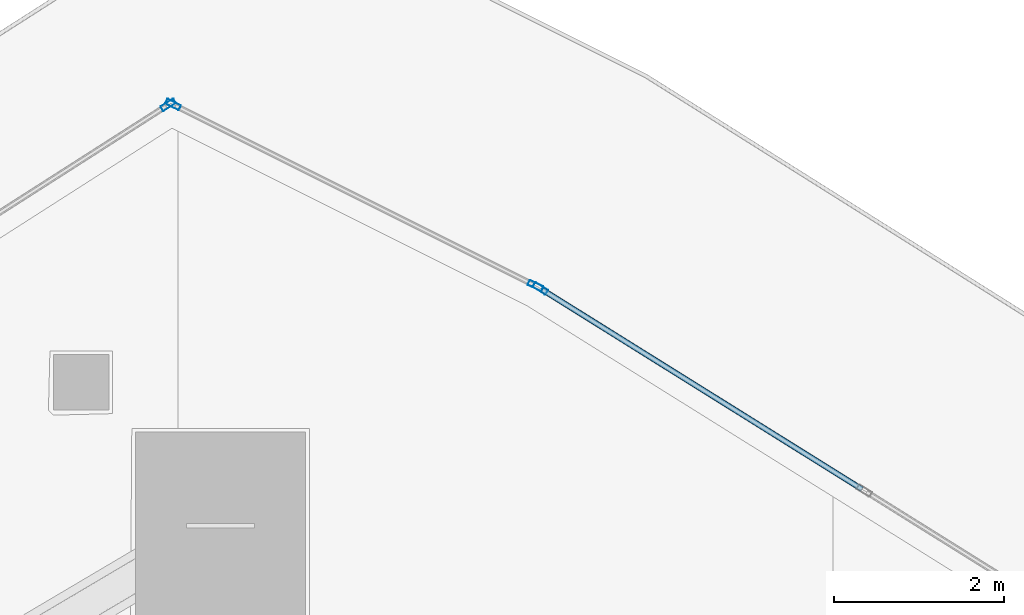
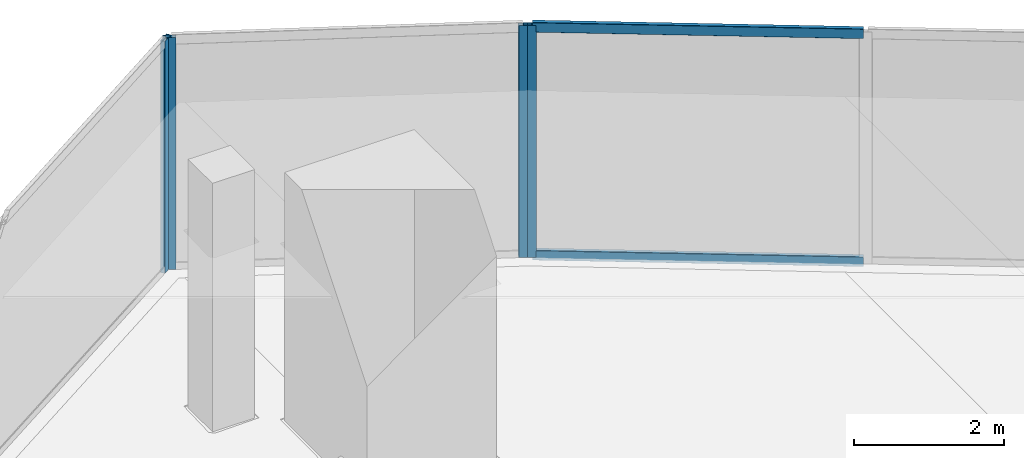
# One storey, part 23 of 40: 6 members, 3 elements without a shape of their own.
"""IFC4 building model written with IfcOpenShell, lengths in metres."""

from ifc_helpers import new_model, si_unit, direction, frame, origin, origin_2d, place, context, subcontext, project, spatial, hollow_rectangle, extrude, material, layer, layer_set, material_profile, profile_set, type_object, element, aggregate, save


model = new_model("IFC4")

# Units and contexts
model_context = context("Model", 3, precision=1e-05, world=origin(), true_north=direction((0.0, 1.0)))
body_context = subcontext(model_context, "Body", "Model", "MODEL_VIEW")
ifc_project = project(units=[si_unit("LENGTHUNIT", "METRE"), si_unit("AREAUNIT", "SQUARE_METRE"), si_unit("VOLUMEUNIT", "CUBIC_METRE"), si_unit("PLANEANGLEUNIT", "RADIAN"), si_unit("MASSUNIT", "GRAM", prefix="KILO")], contexts=[model_context])

# Site, building, storey
site_placement = place(None, origin())
site = spatial("IfcSite", under=ifc_project, at=site_placement, CompositionType="ELEMENT")
building_placement = place(site_placement, origin())
building = spatial("IfcBuilding", under=site, at=building_placement, Name="Qorvath Tower", CompositionType="ELEMENT")
storey_placement = place(building_placement, frame((0.0, 0.0, 138.14990234375)))
storey = spatial("IfcBuildingStorey", under=building, at=storey_placement, Name="L31", CompositionType="ELEMENT", Elevation=138.14990234375)

# Curtain wall, member
ifc_material_1 = material(Name="Anodised aluminium and triple low-E glass", Category="aluminium")
ifc_layer = layer(ifc_material_1, 0.179931640625)
ifc_layer_set = layer_set([ifc_layer], Name="CW-SYS-3")
curtain_wall_type = type_object("IfcCurtainWallType", Name="CW-SYS-3", PredefinedType="NOTDEFINED", material=ifc_layer_set)
curtain_wall_1_placement = place(storey_placement, origin())
curtain_wall_1 = element("IfcCurtainWall", 1, at=curtain_wall_1_placement, inside=storey, type_object=curtain_wall_type, Name="Curtain Wall CW-3 CW-T-L31-14.1", PredefinedType="NOTDEFINED")
ifc_material_2 = material(Name="Anodised aluminium 6063-T6", Category="aluminium")
ifc_material_profile_1 = material_profile(ifc_material_2, hollow_rectangle(XDim=0.06494140625, YDim=0.179931640625, WallThickness=0.00341796875, InnerFilletRadius=0.00341796875, OuterFilletRadius=0.007080078125, at=origin_2d()), Name="CWM 180x65")
ifc_profile_set_1 = profile_set([ifc_material_profile_1], Name="Anodised aluminium 6063-T6")
member_type_1 = type_object("IfcMemberType", Name="CWM-180", PredefinedType="MULLION", material=ifc_profile_set_1)
member_1_placement = place(storey_placement, frame((-11.587890625, 28.03271484375, 0.0), z_axis=(0.0, 0.0, 1.0), x_axis=(-0.529439947431, -0.848347418258, 0.0)))
member_1 = element("IfcMember", 2, at=member_1_placement, type_object=member_type_1, Name="CW-3 mullion 3", PredefinedType="MULLION", context=body_context, shape_type="SweptSolid", body=[
    extrude(hollow_rectangle(XDim=0.06494140625, YDim=0.179931640625, WallThickness=0.00341796875, InnerFilletRadius=0.00341796875, OuterFilletRadius=0.007080078125, at=origin_2d()), origin(), (0.0, 0.0, 1.0), 3.780029296875),
])

# Curtain wall, members
curtain_wall_2_placement = place(storey_placement, origin())
curtain_wall_2 = element("IfcCurtainWall", 3, at=curtain_wall_2_placement, inside=storey, type_object=curtain_wall_type, Name="Curtain Wall CW-3 CW-T-L31-15.1", PredefinedType="NOTDEFINED")
member_2_placement = place(storey_placement, frame((-11.64453125, 28.064453125, 0.0), z_axis=(0.0, 0.0, 1.0), x_axis=(-0.447213595499, -0.894427191001, 0.0)))
member_2 = element("IfcMember", 4, at=member_2_placement, type_object=member_type_1, Name="CW-3 mullion 1", PredefinedType="MULLION", context=body_context, shape_type="SweptSolid", body=[
    extrude(hollow_rectangle(XDim=0.06494140625, YDim=0.179931640625, WallThickness=0.00341796875, InnerFilletRadius=0.00341796875, OuterFilletRadius=0.007080078125, at=origin_2d()), origin(), (0.0, 0.0, 1.0), 3.780029296875),
])
member_3_placement = place(storey_placement, frame((-15.90185546875, 30.19287109375, 0.0), z_axis=(0.0, 0.0, 1.0), x_axis=(-0.447213595499, -0.894427191001, 0.0)))
member_3 = element("IfcMember", 5, at=member_3_placement, type_object=member_type_1, Name="CW-3 mullion 2", PredefinedType="MULLION", context=body_context, shape_type="SweptSolid", body=[
    extrude(hollow_rectangle(XDim=0.06494140625, YDim=0.179931640625, WallThickness=0.00341796875, InnerFilletRadius=0.00341796875, OuterFilletRadius=0.007080078125, at=origin_2d()), origin(), (0.0, 0.0, 1.0), 3.780029296875),
])
aggregate(curtain_wall_2, [member_2, member_3])

# Curtain wall, member
curtain_wall_3_placement = place(storey_placement, origin())
curtain_wall_3 = element("IfcCurtainWall", 6, at=curtain_wall_3_placement, inside=storey, type_object=curtain_wall_type, Name="Curtain Wall CW-3 CW-T-L31-16.1", PredefinedType="NOTDEFINED")
member_4_placement = place(storey_placement, frame((-15.958251953125, 30.18994140625, 0.0), z_axis=(0.0, 0.0, 1.0), x_axis=(0.538534399095, -0.842603525385, 0.0)))
member_4 = element("IfcMember", 7, at=member_4_placement, type_object=member_type_1, Name="CW-3 mullion 1", PredefinedType="MULLION", context=body_context, shape_type="SweptSolid", body=[
    extrude(hollow_rectangle(XDim=0.06494140625, YDim=0.179931640625, WallThickness=0.00341796875, InnerFilletRadius=0.00341796875, OuterFilletRadius=0.007080078125, at=origin_2d()), origin(), (0.0, 0.0, 1.0), 3.780029296875),
])
aggregate(curtain_wall_3, [member_4])

# Member
ifc_material_3 = material(Name="Anodised aluminium 6063-T6", Category="aluminium")
ifc_material_profile_2 = material_profile(ifc_material_3, hollow_rectangle(XDim=0.06494140625, YDim=0.159912109375, WallThickness=0.00341796875, InnerFilletRadius=0.00341796875, OuterFilletRadius=0.007080078125, at=origin_2d()), Name="CWT 160x65")
ifc_profile_set_2 = profile_set([ifc_material_profile_2], Name="Anodised aluminium 6063-T6")
member_type_2 = type_object("IfcMemberType", Name="CWT-160", PredefinedType="USERDEFINED", material=ifc_profile_set_2)
member_5_placement = place(storey_placement, frame((-7.80908203125, 25.67431640625, 0.032470703125), z_axis=(-0.848348628419, 0.529438008325, 0.0), x_axis=(-0.529438008325, -0.848348628419, 0.0)))
member_5 = element("IfcMember", 8, at=member_5_placement, type_object=member_type_2, Name="CW-3 transom 2.1", ObjectType="TRANSOM", PredefinedType="USERDEFINED", context=body_context, shape_type="SweptSolid", body=[
    extrude(hollow_rectangle(XDim=0.06494140625, YDim=0.159912109375, WallThickness=0.00341796875, InnerFilletRadius=0.00341796875, OuterFilletRadius=0.007080078125, at=origin_2d()), origin(), (0.0, 0.0, 1.0), 4.421875),
])

member_6_placement = place(storey_placement, frame((-7.80908203125, 25.67431640625, 3.74755859375), z_axis=(-0.848348628419, 0.529438008325, 0.0), x_axis=(-0.529438008325, -0.848348628419, 0.0)))
member_6 = element("IfcMember", 9, at=member_6_placement, type_object=member_type_2, Name="CW-3 transom 2.2", ObjectType="TRANSOM", PredefinedType="USERDEFINED", context=body_context, shape_type="SweptSolid", body=[
    extrude(hollow_rectangle(XDim=0.06494140625, YDim=0.159912109375, WallThickness=0.00341796875, InnerFilletRadius=0.00341796875, OuterFilletRadius=0.007080078125, at=origin_2d()), origin(), (0.0, 0.0, 1.0), 4.421875),
])

aggregate(curtain_wall_1, [member_1, member_5, member_6])

save(model, "model.ifc")
